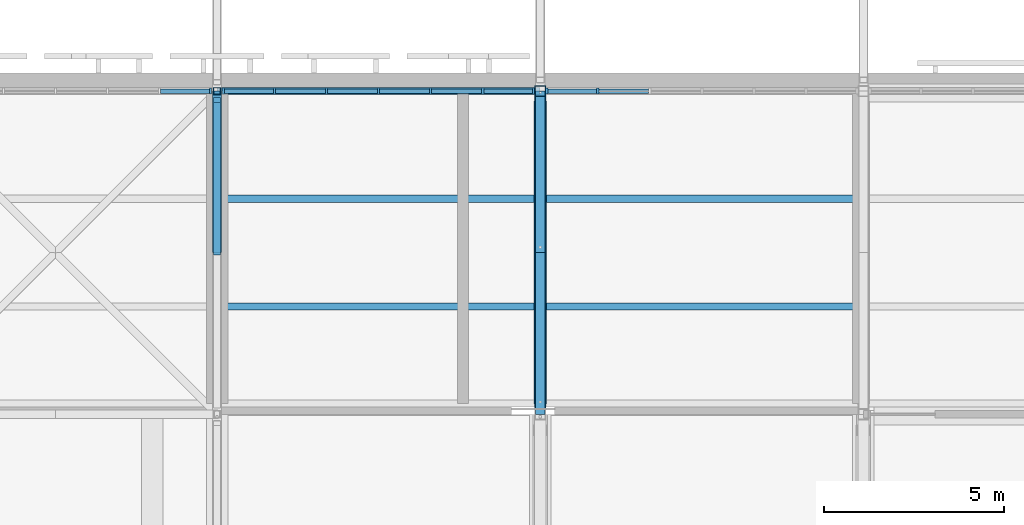
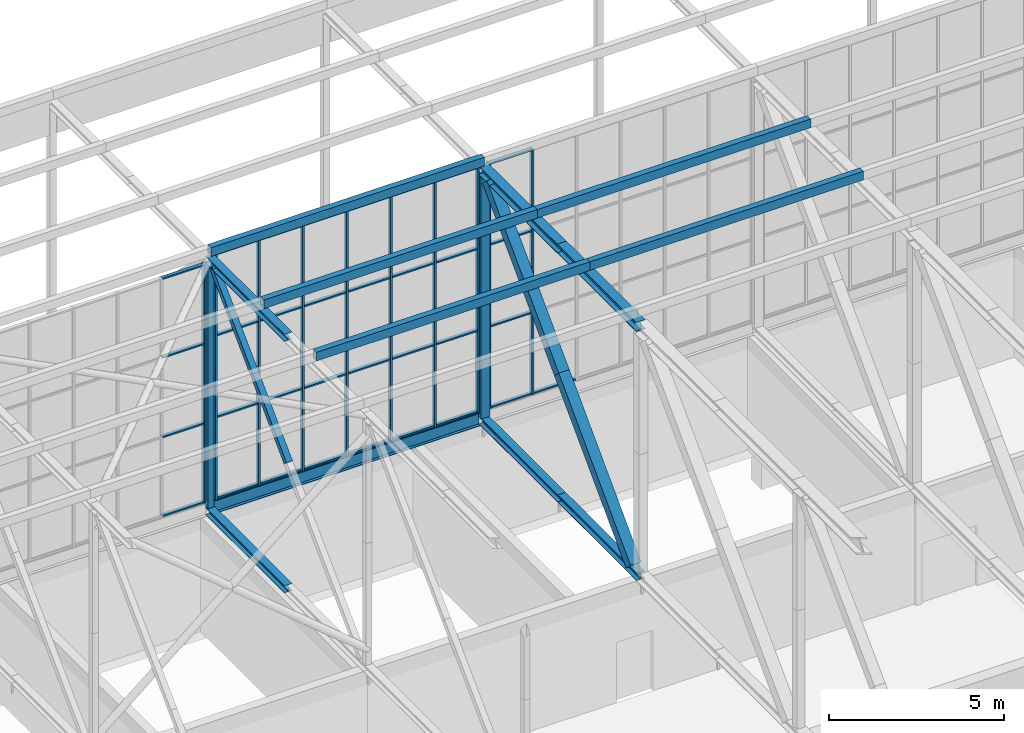
# One storey, part 119 of 646: 61 members, 1 beam, 3 elements without a shape of their own.
"""IFC4 building model written with IfcOpenShell, lengths in metres."""

from ifc_helpers import new_model, si_unit, direction, frame, origin, origin_2d, place, context, subcontext, project, spatial, rectangle, hollow_rectangle, i_section, extrude, material, material_profile, profile_set, type_object, element, aggregate, save


model = new_model("IFC4")

# Units and contexts
model_context = context("Model", 3, precision=1e-05, world=origin(), true_north=direction((0.0, 1.0)))
body_context = subcontext(model_context, "Body", "Model", "MODEL_VIEW")
ifc_project = project(units=[si_unit("LENGTHUNIT", "METRE"), si_unit("AREAUNIT", "SQUARE_METRE"), si_unit("VOLUMEUNIT", "CUBIC_METRE"), si_unit("PLANEANGLEUNIT", "RADIAN"), si_unit("MASSUNIT", "GRAM", prefix="KILO")], contexts=[model_context])

# Site, building, storey
site_placement = place(None, origin())
site = spatial("IfcSite", under=ifc_project, at=site_placement, CompositionType="ELEMENT")
building_placement = place(site_placement, origin())
building = spatial("IfcBuilding", under=site, at=building_placement, Name="Silverbay Arena", CompositionType="ELEMENT")
storey_placement = place(building_placement, frame((0.0, 0.0, 33.5)))
storey = spatial("IfcBuildingStorey", under=building, at=storey_placement, Name="L05", CompositionType="ELEMENT", Elevation=33.5)

# Members
ifc_material_1 = material(Name="Steel S355", Category="steel")
ifc_material_profile_1 = material_profile(ifc_material_1, i_section(OverallWidth=0.2587890625, OverallDepth=0.2666015625, WebThickness=0.0126953125, FlangeThickness=0.0205078125, at=origin_2d()), Name="UC 254x254x107")
ifc_profile_set_1 = profile_set([ifc_material_profile_1], Name="Steel S355")
member_type_1 = type_object("IfcMemberType", Name="Main-span bottom chord UC 254x254x107", PredefinedType="CHORD", material=ifc_profile_set_1)
for number, where, z_axis, x_axis, name in (
    (1, (108.0, 135.0, 4.13330078125), (0.0, 1.0, 0.0), (-1.0, 0.0, 0.0), "ROOF TRUSS 13 bottom chord 15a"),
    (2, (108.0, 139.5, 4.13330078125), (0.0, 1.0, 0.0), (-1.0, 0.0, 0.0), "ROOF TRUSS 13 bottom chord 15b"),
):
    element("IfcMember", number, at=place(storey_placement, frame(where, z_axis=z_axis, x_axis=x_axis)), inside=storey, type_object=member_type_1, Name=name, PredefinedType="CHORD", context=body_context, shape_type="SweptSolid", body=[
        extrude(i_section(OverallWidth=0.2587890625, OverallDepth=0.2666015625, WebThickness=0.0126953125, FlangeThickness=0.0205078125, at=origin_2d()), origin(), (0.0, 0.0, 1.0), 4.5),
    ])
ifc_material_2 = material(Name="Steel S355", Category="steel")
ifc_material_profile_2 = material_profile(ifc_material_2, i_section(OverallWidth=0.307373046875, OverallDepth=0.314453125, WebThickness=0.011962890625, FlangeThickness=0.018798828125, at=origin_2d()), Name="UC 305x305x118")
ifc_profile_set_2 = profile_set([ifc_material_profile_2], Name="Steel S355")
member_type_2 = type_object("IfcMemberType", Name="Main-span top chord UC 305x305x118", PredefinedType="CHORD", material=ifc_profile_set_2)
for number, where, z_axis, x_axis, name in (
    (3, (108.0, 135.0, 12.8427734375), (0.0, 1.0, 0.0), (-1.0, 0.0, 0.0), "ROOF TRUSS 13 top chord 15a"),
    (4, (108.0, 139.5, 12.8427734375), (0.0, 1.0, 0.0), (-1.0, 0.0, 0.0), "ROOF TRUSS 13 top chord 15b"),
):
    element("IfcMember", number, at=place(storey_placement, frame(where, z_axis=z_axis, x_axis=x_axis)), inside=storey, type_object=member_type_2, Name=name, PredefinedType="CHORD", context=body_context, shape_type="SweptSolid", body=[
        extrude(i_section(OverallWidth=0.307373046875, OverallDepth=0.314453125, WebThickness=0.011962890625, FlangeThickness=0.018798828125, at=origin_2d()), origin(), (0.0, 0.0, 1.0), 4.5),
    ])
ifc_material_3 = material(Name="Steel S355", Category="steel")
ifc_material_profile_3 = material_profile(ifc_material_3, hollow_rectangle(XDim=0.35009765625, YDim=0.35009765625, WallThickness=0.01611328125, at=origin_2d()), Name="SHS 350x350x16")
ifc_profile_set_3 = profile_set([ifc_material_profile_3], Name="Steel S355")
member_type_3 = type_object("IfcMemberType", Name="Main-span truss diagonal SHS 350x350x16", PredefinedType="BRACE", material=ifc_profile_set_3)
for number, where, z_axis, x_axis, name in (
    (5, (108.0, 143.59375, 12.685546875), (0.0, -0.697184071327, -0.716892161129), (1.0, 0.0, 0.0), "ROOF TRUSS 13 diagonal 15a"),
    (6, (108.0, 139.5, 8.47607421875), (0.0, -0.697184071327, -0.716892161129), (1.0, 0.0, 0.0), "ROOF TRUSS 13 diagonal 15b"),
):
    element("IfcMember", number, at=place(storey_placement, frame(where, z_axis=z_axis, x_axis=x_axis)), inside=storey, type_object=member_type_3, Name=name, PredefinedType="BRACE", context=body_context, shape_type="SweptSolid", body=[
        extrude(hollow_rectangle(XDim=0.35009765625, YDim=0.35009765625, WallThickness=0.01611328125, at=origin_2d()), origin(), (0.0, 0.0, 1.0), 5.871826171875),
    ])
ifc_material_4 = material(Name="Steel S355", Category="steel")
ifc_material_profile_4 = material_profile(ifc_material_4, hollow_rectangle(XDim=0.300048828125, YDim=0.300048828125, WallThickness=0.012451171875, at=origin_2d()), Name="SHS 300x300x12.5")
ifc_profile_set_4 = profile_set([ifc_material_profile_4], Name="Steel S355")
member_type_4 = type_object("IfcMemberType", Name="Main-span truss vertical SHS 300x300x12.5", PredefinedType="STRUT", material=ifc_profile_set_4)
for number, where, z_axis, x_axis, name in (
    (7, (108.0, 144.0, 4.2666015625), (0.0, 0.0, 1.0), (1.0, 0.0, 0.0), "ROOF TRUSS 13 vertical 16a"),
    (8, (108.0, 144.0, 8.47607421875), (0.0, 0.0, 1.0), (1.0, 0.0, 0.0), "ROOF TRUSS 13 vertical 16b"),
):
    element("IfcMember", number, at=place(storey_placement, frame(where, z_axis=z_axis, x_axis=x_axis)), inside=storey, type_object=member_type_4, Name=name, PredefinedType="STRUT", context=body_context, shape_type="SweptSolid", body=[
        extrude(hollow_rectangle(XDim=0.300048828125, YDim=0.300048828125, WallThickness=0.012451171875, at=origin_2d()), origin(), (0.0, 0.0, 1.0), 4.20947265625),
    ])
ifc_material_5 = material(Name="Steel S355", Category="steel")
ifc_material_profile_5 = material_profile(ifc_material_5, i_section(OverallWidth=0.254638671875, OverallDepth=0.254150390625, WebThickness=0.008544921875, FlangeThickness=0.01416015625, at=origin_2d()), Name="UC 254x254x73")
ifc_profile_set_5 = profile_set([ifc_material_profile_5], Name="Steel S355")
member_type_5 = type_object("IfcMemberType", Name="Medium-span bottom chord UC 254x254x73", PredefinedType="CHORD", material=ifc_profile_set_5)
member_1_placement = place(storey_placement, frame((99.0, 139.5, 4.126953125), z_axis=(0.0, 1.0, 0.0), x_axis=(-1.0, 0.0, 0.0)))
element("IfcMember", 9, at=member_1_placement, inside=storey, type_object=member_type_5, Name="ROOF TRUSS 12 bottom chord 15b", PredefinedType="CHORD", context=body_context, shape_type="SweptSolid", body=[
    extrude(i_section(OverallWidth=0.254638671875, OverallDepth=0.254150390625, WebThickness=0.008544921875, FlangeThickness=0.01416015625, at=origin_2d()), origin(), (0.0, 0.0, 1.0), 4.5),
])
ifc_material_6 = material(Name="Steel S355", Category="steel")
ifc_material_profile_6 = material_profile(ifc_material_6, i_section(OverallWidth=0.254638671875, OverallDepth=0.254150390625, WebThickness=0.008544921875, FlangeThickness=0.01416015625, at=origin_2d()), Name="UC 254x254x73")
ifc_profile_set_6 = profile_set([ifc_material_profile_6], Name="Steel S355")
member_type_6 = type_object("IfcMemberType", Name="Medium-span top chord UC 254x254x73", PredefinedType="CHORD", material=ifc_profile_set_6)
member_2_placement = place(storey_placement, frame((99.0, 139.5, 12.873046875), z_axis=(0.0, 1.0, 0.0), x_axis=(-1.0, 0.0, 0.0)))
element("IfcMember", 10, at=member_2_placement, inside=storey, type_object=member_type_6, Name="ROOF TRUSS 12 top chord 15b", PredefinedType="CHORD", context=body_context, shape_type="SweptSolid", body=[
    extrude(i_section(OverallWidth=0.254638671875, OverallDepth=0.254150390625, WebThickness=0.008544921875, FlangeThickness=0.01416015625, at=origin_2d()), origin(), (0.0, 0.0, 1.0), 4.5),
])
ifc_material_7 = material(Name="Steel S355", Category="steel")
ifc_material_profile_7 = material_profile(ifc_material_7, hollow_rectangle(XDim=0.199951171875, YDim=0.199951171875, WallThickness=0.008056640625, at=origin_2d()), Name="SHS 200x200x8")
ifc_profile_set_7 = profile_set([ifc_material_profile_7], Name="Steel S355")
member_type_7 = type_object("IfcMemberType", Name="Medium-span truss diagonal SHS 200x200x8", PredefinedType="BRACE", material=ifc_profile_set_7)
member_3_placement = place(storey_placement, frame((99.0, 143.75439453125, 12.745849609375), z_axis=(0.0, -0.70781724692, -0.706395600894), x_axis=(1.0, 0.0, 0.0)))
element("IfcMember", 11, at=member_3_placement, inside=storey, type_object=member_type_7, Name="ROOF TRUSS 12 diagonal 15a", PredefinedType="BRACE", context=body_context, shape_type="SweptSolid", body=[
    extrude(hollow_rectangle(XDim=0.199951171875, YDim=0.199951171875, WallThickness=0.008056640625, at=origin_2d()), origin(), (0.0, 0.0, 1.0), 6.010498046875),
])
ifc_material_8 = material(Name="Steel S355", Category="steel")
ifc_material_profile_8 = material_profile(ifc_material_8, hollow_rectangle(XDim=0.199951171875, YDim=0.199951171875, WallThickness=0.008056640625, at=origin_2d()), Name="SHS 200x200x8")
ifc_profile_set_8 = profile_set([ifc_material_profile_8], Name="Steel S355")
member_type_8 = type_object("IfcMemberType", Name="Medium-span truss vertical SHS 200x200x8", PredefinedType="STRUT", material=ifc_profile_set_8)
for number, where, z_axis, x_axis, name in (
    (12, (99.0, 144.0, 4.254150390625), (0.0, 0.0, 1.0), (1.0, 0.0, 0.0), "ROOF TRUSS 12 vertical 16a"),
    (13, (99.0, 144.0, 8.5), (0.0, 0.0, 1.0), (1.0, 0.0, 0.0), "ROOF TRUSS 12 vertical 16b"),
):
    element("IfcMember", number, at=place(storey_placement, frame(where, z_axis=z_axis, x_axis=x_axis)), inside=storey, type_object=member_type_8, Name=name, PredefinedType="STRUT", context=body_context, shape_type="SweptSolid", body=[
        extrude(hollow_rectangle(XDim=0.199951171875, YDim=0.199951171875, WallThickness=0.008056640625, at=origin_2d()), origin(), (0.0, 0.0, 1.0), 4.245849609375),
    ])

# Curtain wall, member
ifc_material_9 = material(Name="Aluminium framed glazing", Category="aluminium")
curtain_wall_type_1 = type_object("IfcCurtainWallType", Name="Curtain wall clerestory 8693 x 8303", PredefinedType="NOTDEFINED", material=ifc_material_9)
curtain_wall_1_placement = place(storey_placement, origin())
curtain_wall_1 = element("IfcCurtainWall", 14, at=curtain_wall_1_placement, inside=storey, type_object=curtain_wall_type_1, Name="ROOF CLERESTORY CURTAIN WALL north bay 05", PredefinedType="NOTDEFINED")
ifc_material_10 = material(Name="Aluminium", Category="aluminium")
ifc_material_profile_9 = material_profile(ifc_material_10, rectangle(XDim=0.159912109375, YDim=0.06005859375, at=origin_2d()), Name="Mullion 60 x 160")
ifc_profile_set_9 = profile_set([ifc_material_profile_9], Name="Aluminium")
member_type_9 = type_object("IfcMemberType", Name="Mullion 60 x 160", PredefinedType="MULLION", material=ifc_profile_set_9)
member_4_placement = place(storey_placement, frame((98.81640625, 144.0, 4.4599609375), z_axis=(0.0, 0.0, 1.0), x_axis=(0.0, 1.0, 0.0)))
member_4 = element("IfcMember", 15, at=member_4_placement, type_object=member_type_9, Name="CW54 mullion 7", PredefinedType="MULLION", context=body_context, shape_type="SweptSolid", body=[
    extrude(rectangle(XDim=0.159912109375, YDim=0.06005859375, at=origin_2d()), origin(), (0.0, 0.0, 1.0), 8.303466796875),
])

# Curtain wall, members
ifc_material_11 = material(Name="Aluminium framed glazing", Category="aluminium")
curtain_wall_type_2 = type_object("IfcCurtainWallType", Name="Curtain wall clerestory 8693 x 8540", PredefinedType="NOTDEFINED", material=ifc_material_11)
curtain_wall_2_placement = place(storey_placement, origin())
curtain_wall_2 = element("IfcCurtainWall", 16, at=curtain_wall_2_placement, inside=storey, type_object=curtain_wall_type_2, Name="ROOF CLERESTORY CURTAIN WALL north bay 06", PredefinedType="NOTDEFINED")
member_5_placement = place(storey_placement, frame((99.18359375, 144.0, 4.4599609375), z_axis=(0.0, 0.0, 1.0), x_axis=(0.0, 1.0, 0.0)))
member_5 = element("IfcMember", 17, at=member_5_placement, type_object=member_type_9, Name="CW55 mullion 1", PredefinedType="MULLION", context=body_context, shape_type="SweptSolid", body=[
    extrude(rectangle(XDim=0.159912109375, YDim=0.06005859375, at=origin_2d()), origin(), (0.0, 0.0, 1.0), 8.5400390625),
])
member_6_placement = place(storey_placement, frame((100.6025390625, 144.0, 4.4599609375), z_axis=(0.0, 0.0, 1.0), x_axis=(0.0, 1.0, 0.0)))
member_6 = element("IfcMember", 18, at=member_6_placement, type_object=member_type_9, Name="CW55 mullion 2", PredefinedType="MULLION", context=body_context, shape_type="SweptSolid", body=[
    extrude(rectangle(XDim=0.159912109375, YDim=0.06005859375, at=origin_2d()), origin(), (0.0, 0.0, 1.0), 8.5400390625),
])
member_7_placement = place(storey_placement, frame((102.05126953125, 144.0, 4.4599609375), z_axis=(0.0, 0.0, 1.0), x_axis=(0.0, 1.0, 0.0)))
member_7 = element("IfcMember", 19, at=member_7_placement, type_object=member_type_9, Name="CW55 mullion 3", PredefinedType="MULLION", context=body_context, shape_type="SweptSolid", body=[
    extrude(rectangle(XDim=0.159912109375, YDim=0.06005859375, at=origin_2d()), origin(), (0.0, 0.0, 1.0), 8.5400390625),
])
member_8_placement = place(storey_placement, frame((103.5, 144.0, 4.4599609375), z_axis=(0.0, 0.0, 1.0), x_axis=(0.0, 1.0, 0.0)))
member_8 = element("IfcMember", 20, at=member_8_placement, type_object=member_type_9, Name="CW55 mullion 4", PredefinedType="MULLION", context=body_context, shape_type="SweptSolid", body=[
    extrude(rectangle(XDim=0.159912109375, YDim=0.06005859375, at=origin_2d()), origin(), (0.0, 0.0, 1.0), 8.5400390625),
])
member_9_placement = place(storey_placement, frame((104.94873046875, 144.0, 4.4599609375), z_axis=(0.0, 0.0, 1.0), x_axis=(0.0, 1.0, 0.0)))
member_9 = element("IfcMember", 21, at=member_9_placement, type_object=member_type_9, Name="CW55 mullion 5", PredefinedType="MULLION", context=body_context, shape_type="SweptSolid", body=[
    extrude(rectangle(XDim=0.159912109375, YDim=0.06005859375, at=origin_2d()), origin(), (0.0, 0.0, 1.0), 8.5400390625),
])
member_10_placement = place(storey_placement, frame((106.3974609375, 144.0, 4.4599609375), z_axis=(0.0, 0.0, 1.0), x_axis=(0.0, 1.0, 0.0)))
member_10 = element("IfcMember", 22, at=member_10_placement, type_object=member_type_9, Name="CW55 mullion 6", PredefinedType="MULLION", context=body_context, shape_type="SweptSolid", body=[
    extrude(rectangle(XDim=0.159912109375, YDim=0.06005859375, at=origin_2d()), origin(), (0.0, 0.0, 1.0), 8.5400390625),
])
member_11_placement = place(storey_placement, frame((107.81640625, 144.0, 4.4599609375), z_axis=(0.0, 0.0, 1.0), x_axis=(0.0, 1.0, 0.0)))
member_11 = element("IfcMember", 23, at=member_11_placement, type_object=member_type_9, Name="CW55 mullion 7", PredefinedType="MULLION", context=body_context, shape_type="SweptSolid", body=[
    extrude(rectangle(XDim=0.159912109375, YDim=0.06005859375, at=origin_2d()), origin(), (0.0, 0.0, 1.0), 8.5400390625),
])

curtain_wall_3_placement = place(storey_placement, origin())
curtain_wall_3 = element("IfcCurtainWall", 24, at=curtain_wall_3_placement, inside=storey, type_object=curtain_wall_type_2, Name="ROOF CLERESTORY CURTAIN WALL north bay 07", PredefinedType="NOTDEFINED")
member_12_placement = place(storey_placement, frame((108.18359375, 144.0, 4.4599609375), z_axis=(0.0, 0.0, 1.0), x_axis=(0.0, 1.0, 0.0)))
member_12 = element("IfcMember", 25, at=member_12_placement, type_object=member_type_9, Name="CW55 mullion 1", PredefinedType="MULLION", context=body_context, shape_type="SweptSolid", body=[
    extrude(rectangle(XDim=0.159912109375, YDim=0.06005859375, at=origin_2d()), origin(), (0.0, 0.0, 1.0), 8.5400390625),
])
member_13_placement = place(storey_placement, frame((109.6025390625, 144.0, 4.4599609375), z_axis=(0.0, 0.0, 1.0), x_axis=(0.0, 1.0, 0.0)))
member_13 = element("IfcMember", 26, at=member_13_placement, type_object=member_type_9, Name="CW55 mullion 2", PredefinedType="MULLION", context=body_context, shape_type="SweptSolid", body=[
    extrude(rectangle(XDim=0.159912109375, YDim=0.06005859375, at=origin_2d()), origin(), (0.0, 0.0, 1.0), 8.5400390625),
])

# Members
ifc_material_12 = material(Name="Steel S355", Category="steel")
ifc_material_profile_10 = material_profile(ifc_material_12, hollow_rectangle(XDim=0.199951171875, YDim=0.300048828125, WallThickness=0.00634765625, at=origin_2d()), Name="RHS 300x200x6.3")
ifc_profile_set_10 = profile_set([ifc_material_profile_10], Name="Steel S355")
member_type_10 = type_object("IfcMemberType", Name="Purlin RHS 300x200x6.3", PredefinedType="PURLIN", material=ifc_profile_set_10)
for number, where, z_axis, x_axis, name in (
    (27, (99.0, 138.0, 13.14990234375), (1.0, 0.0, 0.0), (0.0, 1.0, 0.0), "ROOF PURLIN 12-13 line 44"),
    (28, (108.0, 138.0, 13.14990234375), (1.0, 0.0, 0.0), (0.0, 1.0, 0.0), "ROOF PURLIN 13-14 line 44"),
):
    element("IfcMember", number, at=place(storey_placement, frame(where, z_axis=z_axis, x_axis=x_axis)), inside=storey, type_object=member_type_10, Name=name, PredefinedType="PURLIN", context=body_context, shape_type="SweptSolid", body=[
        extrude(hollow_rectangle(XDim=0.199951171875, YDim=0.300048828125, WallThickness=0.00634765625, at=origin_2d()), origin(), (0.0, 0.0, 1.0), 9.0),
    ])
ifc_material_13 = material(Name="Steel S355", Category="steel")
ifc_material_profile_11 = material_profile(ifc_material_13, hollow_rectangle(XDim=0.199951171875, YDim=0.300048828125, WallThickness=0.008056640625, at=origin_2d()), Name="RHS 300x200x8")
ifc_profile_set_11 = profile_set([ifc_material_profile_11], Name="Steel S355")
member_type_11 = type_object("IfcMemberType", Name="Purlin RHS 300x200x8", PredefinedType="PURLIN", material=ifc_profile_set_11)
for number, where, z_axis, x_axis, name in (
    (29, (99.0, 141.0, 13.14990234375), (1.0, 0.0, 0.0), (0.0, 1.0, 0.0), "ROOF PURLIN 12-13 line 45"),
    (30, (99.0, 144.0, 13.14990234375), (1.0, 0.0, 0.0), (0.0, 1.0, 0.0), "ROOF PURLIN 12-13 line 46"),
    (31, (108.0, 141.0, 13.14990234375), (1.0, 0.0, 0.0), (0.0, 1.0, 0.0), "ROOF PURLIN 13-14 line 45"),
):
    element("IfcMember", number, at=place(storey_placement, frame(where, z_axis=z_axis, x_axis=x_axis)), inside=storey, type_object=member_type_11, Name=name, PredefinedType="PURLIN", context=body_context, shape_type="SweptSolid", body=[
        extrude(hollow_rectangle(XDim=0.199951171875, YDim=0.300048828125, WallThickness=0.008056640625, at=origin_2d()), origin(), (0.0, 0.0, 1.0), 9.0),
    ])

# Beam
ifc_material_14 = material(Name="Steel S355", Category="steel")
ifc_material_profile_12 = material_profile(ifc_material_14, i_section(OverallWidth=0.19140625, OverallDepth=0.4599609375, WebThickness=0.010009765625, FlangeThickness=0.01611328125, at=origin_2d()), Name="UB 457x191x82")
ifc_profile_set_12 = profile_set([ifc_material_profile_12], Name="Steel S355")
beam_type = type_object("IfcBeamType", Name="Ring beam UB 457x191x82", PredefinedType="BEAM", material=ifc_profile_set_12)
beam_placement = place(storey_placement, frame((99.127197265625, 144.0, 4.22998046875), z_axis=(1.0, 0.0, 0.0), x_axis=(0.0, 1.0, 0.0)))
element("IfcBeam", 32, at=beam_placement, inside=storey, type_object=beam_type, Name="RING BEAM north facade 12-13", PredefinedType="BEAM", context=body_context, shape_type="SweptSolid", body=[
    extrude(i_section(OverallWidth=0.19140625, OverallDepth=0.4599609375, WebThickness=0.010009765625, FlangeThickness=0.01611328125, at=origin_2d()), origin(), (0.0, 0.0, 1.0), 8.743408203125),
])

# Member
ifc_material_15 = material(Name="Aluminium", Category="aluminium")
ifc_material_profile_13 = material_profile(ifc_material_15, rectangle(XDim=0.1201171875, YDim=0.050048828125, at=origin_2d()), Name="Transom 50 x 120")
ifc_profile_set_13 = profile_set([ifc_material_profile_13], Name="Aluminium")
member_type_12 = type_object("IfcMemberType", Name="Transom 50 x 120", PredefinedType="USERDEFINED", material=ifc_profile_set_13)
member_14_placement = place(storey_placement, frame((97.427490234375, 144.0, 4.485107421875), z_axis=(1.0, 0.0, 0.0), x_axis=(0.0, 1.0, 0.0)))
member_14 = element("IfcMember", 33, at=member_14_placement, type_object=member_type_12, Name="CW54 transom 6.1", ObjectType="TRANSOM", PredefinedType="USERDEFINED", context=body_context, shape_type="SweptSolid", body=[
    extrude(rectangle(XDim=0.1201171875, YDim=0.050048828125, at=origin_2d()), origin(), (0.0, 0.0, 1.0), 1.35888671875),
])

member_15_placement = place(storey_placement, frame((97.427490234375, 144.0, 7.227783203125), z_axis=(1.0, 0.0, 0.0), x_axis=(0.0, 1.0, 0.0)))
member_15 = element("IfcMember", 34, at=member_15_placement, type_object=member_type_12, Name="CW54 transom 6.2", ObjectType="TRANSOM", PredefinedType="USERDEFINED", context=body_context, shape_type="SweptSolid", body=[
    extrude(rectangle(XDim=0.1201171875, YDim=0.050048828125, at=origin_2d()), origin(), (0.0, 0.0, 1.0), 1.35888671875),
])

member_16_placement = place(storey_placement, frame((97.427490234375, 144.0, 9.99560546875), z_axis=(1.0, 0.0, 0.0), x_axis=(0.0, 1.0, 0.0)))
member_16 = element("IfcMember", 35, at=member_16_placement, type_object=member_type_12, Name="CW54 transom 6.3", ObjectType="TRANSOM", PredefinedType="USERDEFINED", context=body_context, shape_type="SweptSolid", body=[
    extrude(rectangle(XDim=0.1201171875, YDim=0.050048828125, at=origin_2d()), origin(), (0.0, 0.0, 1.0), 1.35888671875),
])

member_17_placement = place(storey_placement, frame((97.427490234375, 144.0, 12.73828125), z_axis=(1.0, 0.0, 0.0), x_axis=(0.0, 1.0, 0.0)))
member_17 = element("IfcMember", 36, at=member_17_placement, type_object=member_type_12, Name="CW54 transom 6.4", ObjectType="TRANSOM", PredefinedType="USERDEFINED", context=body_context, shape_type="SweptSolid", body=[
    extrude(rectangle(XDim=0.1201171875, YDim=0.050048828125, at=origin_2d()), origin(), (0.0, 0.0, 1.0), 1.35888671875),
])

aggregate(curtain_wall_1, [member_4, member_14, member_15, member_16, member_17])

member_18_placement = place(storey_placement, frame((99.213623046875, 144.0, 4.485107421875), z_axis=(1.0, 0.0, 0.0), x_axis=(0.0, 1.0, 0.0)))
member_18 = element("IfcMember", 37, at=member_18_placement, type_object=member_type_12, Name="CW55 transom 1.1", ObjectType="TRANSOM", PredefinedType="USERDEFINED", context=body_context, shape_type="SweptSolid", body=[
    extrude(rectangle(XDim=0.1201171875, YDim=0.050048828125, at=origin_2d()), origin(), (0.0, 0.0, 1.0), 1.35888671875),
])

member_19_placement = place(storey_placement, frame((99.213623046875, 144.0, 7.306640625), z_axis=(1.0, 0.0, 0.0), x_axis=(0.0, 1.0, 0.0)))
member_19 = element("IfcMember", 38, at=member_19_placement, type_object=member_type_12, Name="CW55 transom 1.2", ObjectType="TRANSOM", PredefinedType="USERDEFINED", context=body_context, shape_type="SweptSolid", body=[
    extrude(rectangle(XDim=0.1201171875, YDim=0.050048828125, at=origin_2d()), origin(), (0.0, 0.0, 1.0), 1.35888671875),
])

member_20_placement = place(storey_placement, frame((99.213623046875, 144.0, 10.1533203125), z_axis=(1.0, 0.0, 0.0), x_axis=(0.0, 1.0, 0.0)))
member_20 = element("IfcMember", 39, at=member_20_placement, type_object=member_type_12, Name="CW55 transom 1.3", ObjectType="TRANSOM", PredefinedType="USERDEFINED", context=body_context, shape_type="SweptSolid", body=[
    extrude(rectangle(XDim=0.1201171875, YDim=0.050048828125, at=origin_2d()), origin(), (0.0, 0.0, 1.0), 1.35888671875),
])

member_21_placement = place(storey_placement, frame((99.213623046875, 144.0, 12.97509765625), z_axis=(1.0, 0.0, 0.0), x_axis=(0.0, 1.0, 0.0)))
member_21 = element("IfcMember", 40, at=member_21_placement, type_object=member_type_12, Name="CW55 transom 1.4", ObjectType="TRANSOM", PredefinedType="USERDEFINED", context=body_context, shape_type="SweptSolid", body=[
    extrude(rectangle(XDim=0.1201171875, YDim=0.050048828125, at=origin_2d()), origin(), (0.0, 0.0, 1.0), 1.35888671875),
])

member_22_placement = place(storey_placement, frame((100.632568359375, 144.0, 4.485107421875), z_axis=(1.0, 0.0, 0.0), x_axis=(0.0, 1.0, 0.0)))
member_22 = element("IfcMember", 41, at=member_22_placement, type_object=member_type_12, Name="CW55 transom 2.1", ObjectType="TRANSOM", PredefinedType="USERDEFINED", context=body_context, shape_type="SweptSolid", body=[
    extrude(rectangle(XDim=0.1201171875, YDim=0.050048828125, at=origin_2d()), origin(), (0.0, 0.0, 1.0), 1.388671875),
])

member_23_placement = place(storey_placement, frame((100.632568359375, 144.0, 7.306640625), z_axis=(1.0, 0.0, 0.0), x_axis=(0.0, 1.0, 0.0)))
member_23 = element("IfcMember", 42, at=member_23_placement, type_object=member_type_12, Name="CW55 transom 2.2", ObjectType="TRANSOM", PredefinedType="USERDEFINED", context=body_context, shape_type="SweptSolid", body=[
    extrude(rectangle(XDim=0.1201171875, YDim=0.050048828125, at=origin_2d()), origin(), (0.0, 0.0, 1.0), 1.388671875),
])

member_24_placement = place(storey_placement, frame((100.632568359375, 144.0, 10.1533203125), z_axis=(1.0, 0.0, 0.0), x_axis=(0.0, 1.0, 0.0)))
member_24 = element("IfcMember", 43, at=member_24_placement, type_object=member_type_12, Name="CW55 transom 2.3", ObjectType="TRANSOM", PredefinedType="USERDEFINED", context=body_context, shape_type="SweptSolid", body=[
    extrude(rectangle(XDim=0.1201171875, YDim=0.050048828125, at=origin_2d()), origin(), (0.0, 0.0, 1.0), 1.388671875),
])

member_25_placement = place(storey_placement, frame((100.632568359375, 144.0, 12.97509765625), z_axis=(1.0, 0.0, 0.0), x_axis=(0.0, 1.0, 0.0)))
member_25 = element("IfcMember", 44, at=member_25_placement, type_object=member_type_12, Name="CW55 transom 2.4", ObjectType="TRANSOM", PredefinedType="USERDEFINED", context=body_context, shape_type="SweptSolid", body=[
    extrude(rectangle(XDim=0.1201171875, YDim=0.050048828125, at=origin_2d()), origin(), (0.0, 0.0, 1.0), 1.388671875),
])

member_26_placement = place(storey_placement, frame((102.081298828125, 144.0, 4.485107421875), z_axis=(1.0, 0.0, 0.0), x_axis=(0.0, 1.0, 0.0)))
member_26 = element("IfcMember", 45, at=member_26_placement, type_object=member_type_12, Name="CW55 transom 3.1", ObjectType="TRANSOM", PredefinedType="USERDEFINED", context=body_context, shape_type="SweptSolid", body=[
    extrude(rectangle(XDim=0.1201171875, YDim=0.050048828125, at=origin_2d()), origin(), (0.0, 0.0, 1.0), 1.388671875),
])

member_27_placement = place(storey_placement, frame((102.081298828125, 144.0, 7.306640625), z_axis=(1.0, 0.0, 0.0), x_axis=(0.0, 1.0, 0.0)))
member_27 = element("IfcMember", 46, at=member_27_placement, type_object=member_type_12, Name="CW55 transom 3.2", ObjectType="TRANSOM", PredefinedType="USERDEFINED", context=body_context, shape_type="SweptSolid", body=[
    extrude(rectangle(XDim=0.1201171875, YDim=0.050048828125, at=origin_2d()), origin(), (0.0, 0.0, 1.0), 1.388671875),
])

member_28_placement = place(storey_placement, frame((102.081298828125, 144.0, 10.1533203125), z_axis=(1.0, 0.0, 0.0), x_axis=(0.0, 1.0, 0.0)))
member_28 = element("IfcMember", 47, at=member_28_placement, type_object=member_type_12, Name="CW55 transom 3.3", ObjectType="TRANSOM", PredefinedType="USERDEFINED", context=body_context, shape_type="SweptSolid", body=[
    extrude(rectangle(XDim=0.1201171875, YDim=0.050048828125, at=origin_2d()), origin(), (0.0, 0.0, 1.0), 1.388671875),
])

member_29_placement = place(storey_placement, frame((102.081298828125, 144.0, 12.97509765625), z_axis=(1.0, 0.0, 0.0), x_axis=(0.0, 1.0, 0.0)))
member_29 = element("IfcMember", 48, at=member_29_placement, type_object=member_type_12, Name="CW55 transom 3.4", ObjectType="TRANSOM", PredefinedType="USERDEFINED", context=body_context, shape_type="SweptSolid", body=[
    extrude(rectangle(XDim=0.1201171875, YDim=0.050048828125, at=origin_2d()), origin(), (0.0, 0.0, 1.0), 1.388671875),
])

member_30_placement = place(storey_placement, frame((103.530029296875, 144.0, 4.485107421875), z_axis=(1.0, 0.0, 0.0), x_axis=(0.0, 1.0, 0.0)))
member_30 = element("IfcMember", 49, at=member_30_placement, type_object=member_type_12, Name="CW55 transom 4.1", ObjectType="TRANSOM", PredefinedType="USERDEFINED", context=body_context, shape_type="SweptSolid", body=[
    extrude(rectangle(XDim=0.1201171875, YDim=0.050048828125, at=origin_2d()), origin(), (0.0, 0.0, 1.0), 1.388671875),
])

member_31_placement = place(storey_placement, frame((103.530029296875, 144.0, 7.306640625), z_axis=(1.0, 0.0, 0.0), x_axis=(0.0, 1.0, 0.0)))
member_31 = element("IfcMember", 50, at=member_31_placement, type_object=member_type_12, Name="CW55 transom 4.2", ObjectType="TRANSOM", PredefinedType="USERDEFINED", context=body_context, shape_type="SweptSolid", body=[
    extrude(rectangle(XDim=0.1201171875, YDim=0.050048828125, at=origin_2d()), origin(), (0.0, 0.0, 1.0), 1.388671875),
])

member_32_placement = place(storey_placement, frame((103.530029296875, 144.0, 10.1533203125), z_axis=(1.0, 0.0, 0.0), x_axis=(0.0, 1.0, 0.0)))
member_32 = element("IfcMember", 51, at=member_32_placement, type_object=member_type_12, Name="CW55 transom 4.3", ObjectType="TRANSOM", PredefinedType="USERDEFINED", context=body_context, shape_type="SweptSolid", body=[
    extrude(rectangle(XDim=0.1201171875, YDim=0.050048828125, at=origin_2d()), origin(), (0.0, 0.0, 1.0), 1.388671875),
])

member_33_placement = place(storey_placement, frame((103.530029296875, 144.0, 12.97509765625), z_axis=(1.0, 0.0, 0.0), x_axis=(0.0, 1.0, 0.0)))
member_33 = element("IfcMember", 52, at=member_33_placement, type_object=member_type_12, Name="CW55 transom 4.4", ObjectType="TRANSOM", PredefinedType="USERDEFINED", context=body_context, shape_type="SweptSolid", body=[
    extrude(rectangle(XDim=0.1201171875, YDim=0.050048828125, at=origin_2d()), origin(), (0.0, 0.0, 1.0), 1.388671875),
])

member_34_placement = place(storey_placement, frame((104.978759765625, 144.0, 4.485107421875), z_axis=(1.0, 0.0, 0.0), x_axis=(0.0, 1.0, 0.0)))
member_34 = element("IfcMember", 53, at=member_34_placement, type_object=member_type_12, Name="CW55 transom 5.1", ObjectType="TRANSOM", PredefinedType="USERDEFINED", context=body_context, shape_type="SweptSolid", body=[
    extrude(rectangle(XDim=0.1201171875, YDim=0.050048828125, at=origin_2d()), origin(), (0.0, 0.0, 1.0), 1.388671875),
])

member_35_placement = place(storey_placement, frame((104.978759765625, 144.0, 7.306640625), z_axis=(1.0, 0.0, 0.0), x_axis=(0.0, 1.0, 0.0)))
member_35 = element("IfcMember", 54, at=member_35_placement, type_object=member_type_12, Name="CW55 transom 5.2", ObjectType="TRANSOM", PredefinedType="USERDEFINED", context=body_context, shape_type="SweptSolid", body=[
    extrude(rectangle(XDim=0.1201171875, YDim=0.050048828125, at=origin_2d()), origin(), (0.0, 0.0, 1.0), 1.388671875),
])

member_36_placement = place(storey_placement, frame((104.978759765625, 144.0, 10.1533203125), z_axis=(1.0, 0.0, 0.0), x_axis=(0.0, 1.0, 0.0)))
member_36 = element("IfcMember", 55, at=member_36_placement, type_object=member_type_12, Name="CW55 transom 5.3", ObjectType="TRANSOM", PredefinedType="USERDEFINED", context=body_context, shape_type="SweptSolid", body=[
    extrude(rectangle(XDim=0.1201171875, YDim=0.050048828125, at=origin_2d()), origin(), (0.0, 0.0, 1.0), 1.388671875),
])

member_37_placement = place(storey_placement, frame((104.978759765625, 144.0, 12.97509765625), z_axis=(1.0, 0.0, 0.0), x_axis=(0.0, 1.0, 0.0)))
member_37 = element("IfcMember", 56, at=member_37_placement, type_object=member_type_12, Name="CW55 transom 5.4", ObjectType="TRANSOM", PredefinedType="USERDEFINED", context=body_context, shape_type="SweptSolid", body=[
    extrude(rectangle(XDim=0.1201171875, YDim=0.050048828125, at=origin_2d()), origin(), (0.0, 0.0, 1.0), 1.388671875),
])

member_38_placement = place(storey_placement, frame((106.427490234375, 144.0, 4.485107421875), z_axis=(1.0, 0.0, 0.0), x_axis=(0.0, 1.0, 0.0)))
member_38 = element("IfcMember", 57, at=member_38_placement, type_object=member_type_12, Name="CW55 transom 6.1", ObjectType="TRANSOM", PredefinedType="USERDEFINED", context=body_context, shape_type="SweptSolid", body=[
    extrude(rectangle(XDim=0.1201171875, YDim=0.050048828125, at=origin_2d()), origin(), (0.0, 0.0, 1.0), 1.35888671875),
])

member_39_placement = place(storey_placement, frame((106.427490234375, 144.0, 7.306640625), z_axis=(1.0, 0.0, 0.0), x_axis=(0.0, 1.0, 0.0)))
member_39 = element("IfcMember", 58, at=member_39_placement, type_object=member_type_12, Name="CW55 transom 6.2", ObjectType="TRANSOM", PredefinedType="USERDEFINED", context=body_context, shape_type="SweptSolid", body=[
    extrude(rectangle(XDim=0.1201171875, YDim=0.050048828125, at=origin_2d()), origin(), (0.0, 0.0, 1.0), 1.35888671875),
])

member_40_placement = place(storey_placement, frame((106.427490234375, 144.0, 10.1533203125), z_axis=(1.0, 0.0, 0.0), x_axis=(0.0, 1.0, 0.0)))
member_40 = element("IfcMember", 59, at=member_40_placement, type_object=member_type_12, Name="CW55 transom 6.3", ObjectType="TRANSOM", PredefinedType="USERDEFINED", context=body_context, shape_type="SweptSolid", body=[
    extrude(rectangle(XDim=0.1201171875, YDim=0.050048828125, at=origin_2d()), origin(), (0.0, 0.0, 1.0), 1.35888671875),
])

member_41_placement = place(storey_placement, frame((106.427490234375, 144.0, 12.97509765625), z_axis=(1.0, 0.0, 0.0), x_axis=(0.0, 1.0, 0.0)))
member_41 = element("IfcMember", 60, at=member_41_placement, type_object=member_type_12, Name="CW55 transom 6.4", ObjectType="TRANSOM", PredefinedType="USERDEFINED", context=body_context, shape_type="SweptSolid", body=[
    extrude(rectangle(XDim=0.1201171875, YDim=0.050048828125, at=origin_2d()), origin(), (0.0, 0.0, 1.0), 1.35888671875),
])

aggregate(curtain_wall_2, [member_5, member_6, member_7, member_8, member_9, member_10, member_11, member_18, member_19, member_20, member_21, member_22, member_23, member_24, member_25, member_26, member_27, member_28, member_29, member_30, member_31, member_32, member_33, member_34, member_35, member_36, member_37, member_38, member_39, member_40, member_41])

member_42_placement = place(storey_placement, frame((108.213623046875, 144.0, 4.485107421875), z_axis=(1.0, 0.0, 0.0), x_axis=(0.0, 1.0, 0.0)))
member_42 = element("IfcMember", 61, at=member_42_placement, type_object=member_type_12, Name="CW55 transom 1.1", ObjectType="TRANSOM", PredefinedType="USERDEFINED", context=body_context, shape_type="SweptSolid", body=[
    extrude(rectangle(XDim=0.1201171875, YDim=0.050048828125, at=origin_2d()), origin(), (0.0, 0.0, 1.0), 1.35888671875),
])

member_43_placement = place(storey_placement, frame((108.213623046875, 144.0, 7.306640625), z_axis=(1.0, 0.0, 0.0), x_axis=(0.0, 1.0, 0.0)))
member_43 = element("IfcMember", 62, at=member_43_placement, type_object=member_type_12, Name="CW55 transom 1.2", ObjectType="TRANSOM", PredefinedType="USERDEFINED", context=body_context, shape_type="SweptSolid", body=[
    extrude(rectangle(XDim=0.1201171875, YDim=0.050048828125, at=origin_2d()), origin(), (0.0, 0.0, 1.0), 1.35888671875),
])

member_44_placement = place(storey_placement, frame((108.213623046875, 144.0, 10.1533203125), z_axis=(1.0, 0.0, 0.0), x_axis=(0.0, 1.0, 0.0)))
member_44 = element("IfcMember", 63, at=member_44_placement, type_object=member_type_12, Name="CW55 transom 1.3", ObjectType="TRANSOM", PredefinedType="USERDEFINED", context=body_context, shape_type="SweptSolid", body=[
    extrude(rectangle(XDim=0.1201171875, YDim=0.050048828125, at=origin_2d()), origin(), (0.0, 0.0, 1.0), 1.35888671875),
])

member_45_placement = place(storey_placement, frame((108.213623046875, 144.0, 12.97509765625), z_axis=(1.0, 0.0, 0.0), x_axis=(0.0, 1.0, 0.0)))
member_45 = element("IfcMember", 64, at=member_45_placement, type_object=member_type_12, Name="CW55 transom 1.4", ObjectType="TRANSOM", PredefinedType="USERDEFINED", context=body_context, shape_type="SweptSolid", body=[
    extrude(rectangle(XDim=0.1201171875, YDim=0.050048828125, at=origin_2d()), origin(), (0.0, 0.0, 1.0), 1.35888671875),
])

member_46_placement = place(storey_placement, frame((109.632568359375, 144.0, 4.485107421875), z_axis=(1.0, 0.0, 0.0), x_axis=(0.0, 1.0, 0.0)))
member_46 = element("IfcMember", 65, at=member_46_placement, type_object=member_type_12, Name="CW55 transom 2.1", ObjectType="TRANSOM", PredefinedType="USERDEFINED", context=body_context, shape_type="SweptSolid", body=[
    extrude(rectangle(XDim=0.1201171875, YDim=0.050048828125, at=origin_2d()), origin(), (0.0, 0.0, 1.0), 1.388671875),
])

aggregate(curtain_wall_3, [member_12, member_13, member_42, member_43, member_44, member_45, member_46])

save(model, "model.ifc")
